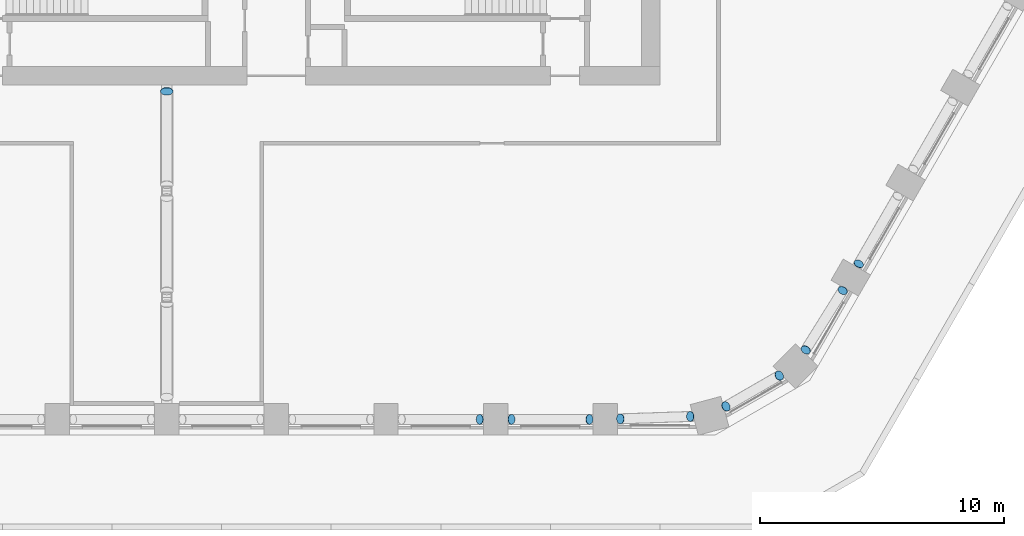
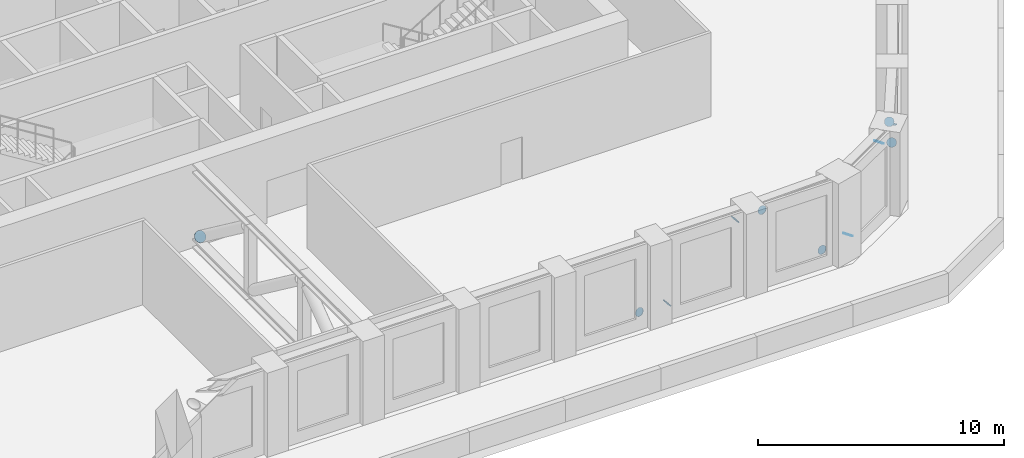
# One storey, part 13 of 18: 11 discrete accessories.
"""IFC4 building model written with IfcOpenShell, lengths in metres."""

from ifc_helpers import new_model, si_unit, direction, frame, origin, origin_2d, place, context, subcontext, project, spatial, circle, extrude, material, material_profile, profile_set, type_object, element, save


model = new_model("IFC4")

# Units and contexts
model_context = context("Model", 3, precision=1e-05, world=origin(), true_north=direction((0.0, 1.0)))
body_context = subcontext(model_context, "Body", "Model", "MODEL_VIEW")
ifc_project = project(units=[si_unit("LENGTHUNIT", "METRE"), si_unit("AREAUNIT", "SQUARE_METRE"), si_unit("VOLUMEUNIT", "CUBIC_METRE"), si_unit("PLANEANGLEUNIT", "RADIAN"), si_unit("MASSUNIT", "GRAM", prefix="KILO")], contexts=[model_context])

# Site, building, storey
site_placement = place(None, origin())
site = spatial("IfcSite", under=ifc_project, at=site_placement, CompositionType="ELEMENT")
building_placement = place(site_placement, origin())
building = spatial("IfcBuilding", under=site, at=building_placement, Name="Dhurran Vertical Campus", CompositionType="ELEMENT")
storey_placement = place(building_placement, frame((0.0, 0.0, 128.10009765625)))
storey = spatial("IfcBuildingStorey", under=building, at=storey_placement, Name="L31 Plant", CompositionType="ELEMENT", Elevation=128.10009765625)

# Discrete accessories
ifc_material_1 = material(Name="Steel S355J2", Category="steel")
ifc_material_profile_1 = material_profile(ifc_material_1, circle(Radius=0.203125, at=origin_2d()), Name="Tube end cap 406 x 20")
ifc_profile_set_1 = profile_set([ifc_material_profile_1], Name="Steel S355J2")
discrete_accessory_type_1 = type_object("IfcDiscreteAccessoryType", Name="Tube end cap 406 x 20", PredefinedType="USERDEFINED", material=ifc_profile_set_1)
for number, where, z_axis, x_axis, name in (
    (1, (8.343505859375, -27.232666015625, 0.58251953125), (0.731055268243, 0.0, -0.68231825036), (0.0, 1.0, 0.0), "EC1 belt L31 d05 capA"),
    (2, (9.656494140625, -27.232666015625, 0.58251953125), (-0.731055268243, 0.0, -0.68231825036), (0.0, -1.0, 0.0), "EC1 belt L31 d06 capA"),
    (3, (12.843505859375, -27.232666015625, 3.59228515625), (0.731055268243, 0.0, 0.68231825036), (0.0, 1.0, 0.0), "EC1 belt L31 d06 capB"),
):
    element("IfcDiscreteAccessory", number, at=place(storey_placement, frame(where, z_axis=z_axis, x_axis=x_axis)), inside=storey, type_object=discrete_accessory_type_1, Name=name, ObjectType="END CAP", PredefinedType="USERDEFINED", context=body_context, shape_type="SweptSolid", body=[
        extrude(circle(Radius=0.203125, at=origin_2d()), origin(), (0.0, 0.0, 1.0), 0.02001953125),
    ])
discrete_accessory_1_placement = place(storey_placement, frame((16.988037109375, -27.11376953125, 0.574462890625), z_axis=(0.688548425874, 0.02415959389, -0.724787816709), x_axis=(-0.035066140133, 0.999384993792, 0.0)))
element("IfcDiscreteAccessory", 4, at=discrete_accessory_1_placement, inside=storey, type_object=discrete_accessory_type_1, Name="EC1 belt L31 d07 capA", ObjectType="END CAP", PredefinedType="USERDEFINED", context=body_context, shape_type="SweptSolid", body=[
    extrude(circle(Radius=0.203125, at=origin_2d()), origin(), (0.0, 0.0, 1.0), 0.020263671875),
])
for number, where, z_axis, x_axis, name in (
    (5, (14.131591796875, -27.211181640625, 3.600341796875), (-0.682115751988, -0.024361276857, 0.730838305701), (0.035691530512, -0.999362854348, 0.0), "EC1 belt L31 d07 capB"),
    (6, (18.4619140625, -26.69677734375, 0.564208984375), (-0.550997459976, -0.318354087986, -0.771396443966), (0.500277597875, -0.865865073245, 0.0), "EC1 belt L31 d08 capA"),
    (7, (20.63916015625, -25.439697265625, 3.610595703125), (0.550997459976, 0.318354087986, 0.771396443966), (-0.500277597875, 0.865865073245, 0.0), "EC1 belt L31 d08 capB"),
    (8, (23.249755859375, -21.947021484375, 0.574462890625), (0.363696483727, 0.581914373963, -0.727392967453), (-0.847998304005, 0.529998940003, 0.0), "EC1 belt L31 d09 capA"),
    (9, (21.7373046875, -24.371826171875, 3.600341796875), (-0.363696483727, -0.581914373963, 0.727392967453), (0.847998304005, -0.529998940003, 0.0), "EC1 belt L31 d09 capB"),
    (10, (23.912353515625, -20.842041015625, 0.58251953125), (-0.354794813064, -0.636183802736, -0.685121018331), (0.873363874328, -0.487068314529, 0.0), "EC1 belt L31 d10 capA"),
):
    element("IfcDiscreteAccessory", number, at=place(storey_placement, frame(where, z_axis=z_axis, x_axis=x_axis)), inside=storey, type_object=discrete_accessory_type_1, Name=name, ObjectType="END CAP", PredefinedType="USERDEFINED", context=body_context, shape_type="SweptSolid", body=[
        extrude(circle(Radius=0.203125, at=origin_2d()), origin(), (0.0, 0.0, 1.0), 0.02001953125),
    ])
ifc_material_2 = material(Name="Steel S355J2", Category="steel")
ifc_material_profile_2 = material_profile(ifc_material_2, circle(Radius=0.25390625, at=origin_2d()), Name="Tube end cap 508 x 20")
ifc_profile_set_2 = profile_set([ifc_material_profile_2], Name="Steel S355J2")
discrete_accessory_type_2 = type_object("IfcDiscreteAccessoryType", Name="Tube end cap 508 x 20", PredefinedType="USERDEFINED", material=ifc_profile_set_2)
discrete_accessory_2_placement = place(storey_placement, frame((-4.5, -13.771484375, 0.658203125), z_axis=(0.0, 0.798523388242, -0.601963784982), x_axis=(-1.0, 0.0, 0.0)))
element("IfcDiscreteAccessory", 11, at=discrete_accessory_2_placement, inside=storey, type_object=discrete_accessory_type_2, Name="EC1 outrigger L31 OR-S d0 capA", ObjectType="END CAP", PredefinedType="USERDEFINED", context=body_context, shape_type="SweptSolid", body=[
    extrude(circle(Radius=0.25390625, at=origin_2d()), origin(), (0.0, 0.0, 1.0), 0.019775390625),
])

save(model, "model.ifc")
